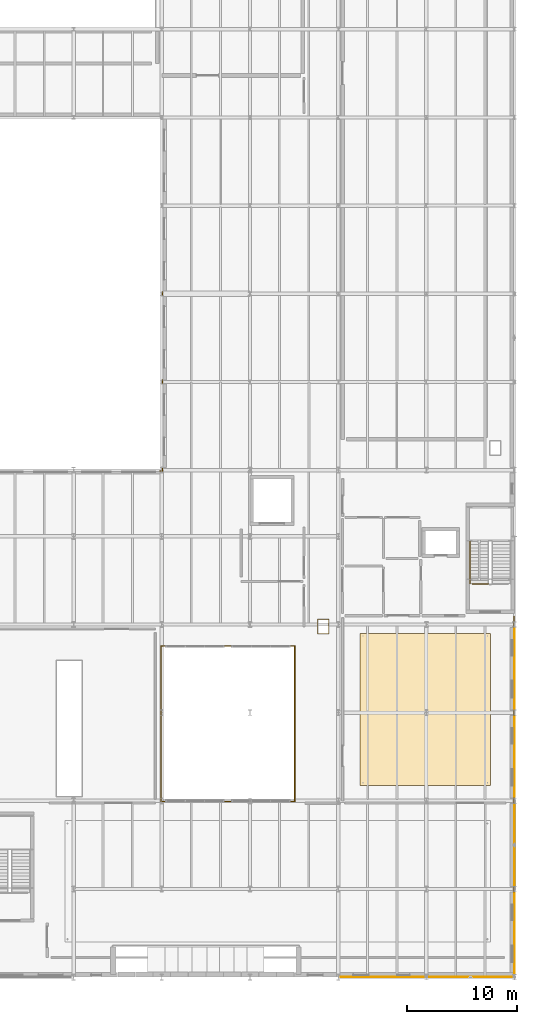
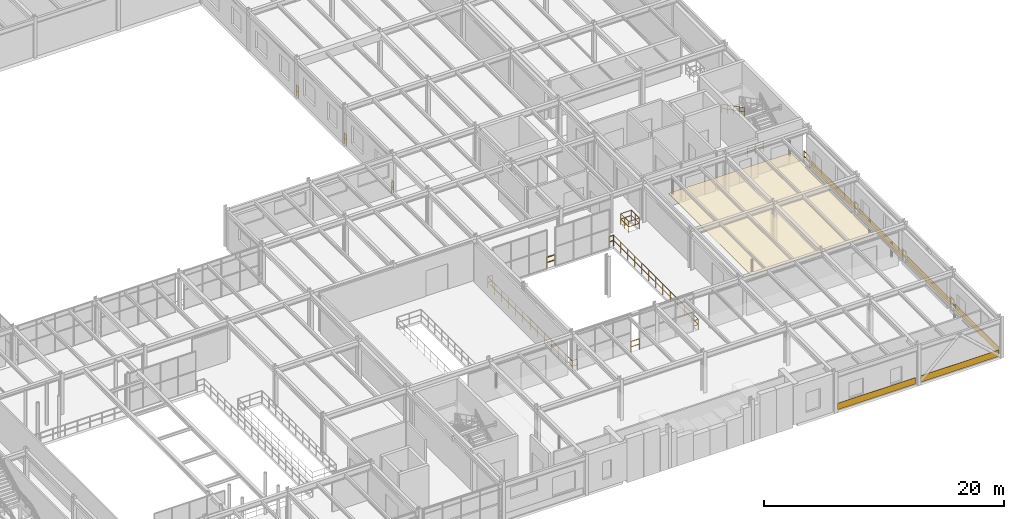
# One storey, part 120 of 122: 15 railings, 7 coverings.
"""IFC4 building model written with IfcOpenShell, lengths in metres."""

from ifc_helpers import new_model, si_unit, direction, frame, origin, origin_2d, place, context, subcontext, project, spatial, polyline, rectangle, circle, outline, extrude, material, layer, layer_set, type_object, element, save


model = new_model("IFC4")

# Units and contexts
model_context = context("Model", 3, precision=1e-05, world=origin(), true_north=direction((0.0, 1.0)))
body_context = subcontext(model_context, "Body", "Model", "MODEL_VIEW")
ifc_project = project(units=[si_unit("LENGTHUNIT", "METRE"), si_unit("AREAUNIT", "SQUARE_METRE"), si_unit("VOLUMEUNIT", "CUBIC_METRE"), si_unit("PLANEANGLEUNIT", "RADIAN"), si_unit("MASSUNIT", "GRAM", prefix="KILO")], contexts=[model_context])

# Site, building, storey
site_placement = place(None, origin())
site = spatial("IfcSite", under=ifc_project, at=site_placement, CompositionType="ELEMENT")
building_placement = place(site_placement, origin())
building = spatial("IfcBuilding", under=site, at=building_placement, Name="Sundkrona Museum", CompositionType="ELEMENT")
storey_placement = place(building_placement, frame((0.0, 0.0, 5.39990234375)))
storey = spatial("IfcBuildingStorey", under=building, at=storey_placement, Name="L01", CompositionType="ELEMENT", Elevation=5.39990234375)

# Coverings
ifc_material_1 = material(Name="Perforated Acoustic Gypsum and Mineral Wool Ceiling", Category="other")
ifc_layer_1 = layer(ifc_material_1, 0.0400390625)
ifc_layer_set_1 = layer_set([ifc_layer_1], Name="Perforated Acoustic Gypsum and Mineral Wool Ceiling")
covering_type_1 = type_object("IfcCoveringType", Name="COV-CEIL-AC", PredefinedType="CEILING", material=ifc_layer_set_1)
covering_placement = place(storey_placement, frame((0.0, 0.0, 2.550048828125)))
element("IfcCovering", 1, at=covering_placement, inside=storey, type_object=covering_type_1, Name="L01 Amber and Fossil Mezzanine Gallery Acoustic Ceiling", PredefinedType="CEILING", context=body_context, shape_type="SweptSolid", body=[
    extrude(outline(polyline([(154.0, 17.39990234375), (165.800048828125, 17.39990234375), (165.800048828125, 31.199951171875), (154.0, 31.199951171875), (154.0, 17.39990234375)])), origin(), (0.0, 0.0, 1.0), 0.0400390625),
])
ifc_material_2 = material(Name="Frost-Resistant Vitrified Stoneware Mosaic Cladding", Category="masonry")
ifc_layer_2 = layer(ifc_material_2, 0.044921875)
ifc_layer_set_2 = layer_set([ifc_layer_2], Name="Frost-Resistant Vitrified Stoneware Mosaic Cladding")
covering_type_2 = type_object("IfcCoveringType", Name="COV-CLD-MOS", PredefinedType="CLADDING", material=ifc_layer_set_2)
for number, where, z_axis, x_axis, name in (
    (2, (156.0, 0.0, 0.09521484375), (0.0, 0.0, 1.0), (1.0, 0.0, 0.0), "L01 Vitrified Stoneware Mosaic Spandrel 002"),
    (3, (164.0, 0.0, 0.09521484375), (0.0, 0.0, 1.0), (1.0, 0.0, 0.0), "L01 Vitrified Stoneware Mosaic Spandrel 003"),
):
    element("IfcCovering", number, at=place(storey_placement, frame(where, z_axis=z_axis, x_axis=x_axis)), inside=storey, type_object=covering_type_2, Name=name, PredefinedType="CLADDING", context=body_context, shape_type="SweptSolid", body=[
        extrude(rectangle(XDim=7.49609375, YDim=0.044921875, at=origin_2d()), origin(), (0.0, 0.0, 1.0), 0.64990234375),
    ])
for number, where, z_axis, x_axis, name in (
    (4, (168.0, 4.0, 0.09521484375), (0.0, 0.0, 1.0), (0.0, 1.0, 0.0), "L01 Vitrified Stoneware Mosaic Spandrel 004"),
    (5, (168.0, 12.0, 0.09521484375), (0.0, 0.0, 1.0), (0.0, 1.0, 0.0), "L01 Vitrified Stoneware Mosaic Spandrel 005"),
    (6, (168.0, 20.0, 0.09521484375), (0.0, 0.0, 1.0), (0.0, 1.0, 0.0), "L01 Vitrified Stoneware Mosaic Spandrel 006"),
    (7, (168.0, 28.0, 0.09521484375), (0.0, 0.0, 1.0), (0.0, 1.0, 0.0), "L01 Vitrified Stoneware Mosaic Spandrel 007"),
):
    element("IfcCovering", number, at=place(storey_placement, frame(where, z_axis=z_axis, x_axis=x_axis)), inside=storey, type_object=covering_type_2, Name=name, PredefinedType="CLADDING", context=body_context, shape_type="SweptSolid", body=[
        extrude(rectangle(XDim=7.2958984375, YDim=0.044921875, at=origin_2d()), origin(), (0.0, 0.0, 1.0), 0.64990234375),
    ])

# Railings
ifc_material_3 = material(Name="Painted Steel S355J2 and Laminated Glass Balustrade", Category="steel")
railing_type_1 = type_object("IfcRailingType", Name="RL-GUARD-1100", PredefinedType="BALUSTRADE", material=ifc_material_3)
railing_1_placement = place(storey_placement, frame((135.847900390625, 45.93994140625, 0.0)))
element("IfcRailing", 8, at=railing_1_placement, inside=storey, type_object=railing_type_1, Name="L01 Edge Protection Balustrade 063", PredefinedType="BALUSTRADE", context=body_context, shape_type="SweptSolid", body=[
    extrude(circle(Radius=0.02392578125, at=origin_2d()), frame((0.0, 0.0, 1.09619140625), z_axis=(1.0, 0.0, 0.0), x_axis=(0.0, 1.0, 0.0)), (0.0, 0.0, 1.0), 0.212158203125),
    extrude(circle(Radius=0.02392578125, at=origin_2d()), frame((0.0, 0.0, 0.56005859375), z_axis=(1.0, 0.0, 0.0), x_axis=(0.0, 1.0, 0.0)), (0.0, 0.0, 1.0), 0.212158203125),
    extrude(circle(Radius=0.02392578125, at=origin_2d()), frame((0.212158203125, 0.0, 1.09619140625), z_axis=(0.0, 1.0, 0.0), x_axis=(-1.0, 0.0, 0.0)), (0.0, 0.0, 1.0), 0.31201171875),
    extrude(circle(Radius=0.02392578125, at=origin_2d()), frame((0.212158203125, 0.0, 0.56005859375), z_axis=(0.0, 1.0, 0.0), x_axis=(-1.0, 0.0, 0.0)), (0.0, 0.0, 1.0), 0.31201171875),
    extrude(circle(Radius=0.02099609375, at=origin_2d()), origin(), (0.0, 0.0, 1.0), 1.072021484375),
    extrude(circle(Radius=0.02099609375, at=origin_2d()), frame((0.212158203125, 0.0, 0.0)), (0.0, 0.0, 1.0), 1.072021484375),
    extrude(circle(Radius=0.02099609375, at=origin_2d()), frame((0.212158203125, 0.31201171875, 0.0)), (0.0, 0.0, 1.0), 1.072021484375),
])
railing_2_placement = place(storey_placement, frame((136.39990234375, 30.06005859375, 0.0)))
element("IfcRailing", 9, at=railing_2_placement, inside=storey, type_object=railing_type_1, Name="L01 Edge Protection Balustrade 066", PredefinedType="BALUSTRADE", context=body_context, shape_type="SweptSolid", body=[
    extrude(circle(Radius=0.02392578125, at=origin_2d()), frame((0.0, 0.0, 1.09619140625), z_axis=(-1.0, 0.0, 0.0), x_axis=(0.0, -1.0, 0.0)), (0.0, 0.0, 1.0), 0.4599609375),
    extrude(circle(Radius=0.02392578125, at=origin_2d()), frame((0.0, 0.0, 0.56005859375), z_axis=(-1.0, 0.0, 0.0), x_axis=(0.0, -1.0, 0.0)), (0.0, 0.0, 1.0), 0.4599609375),
    extrude(circle(Radius=0.02392578125, at=origin_2d()), frame((-0.4599609375, 0.0, 1.09619140625), z_axis=(0.0, -1.0, 0.0), x_axis=(1.0, 0.0, 0.0)), (0.0, 0.0, 1.0), 14.1201171875),
    extrude(circle(Radius=0.02392578125, at=origin_2d()), frame((-0.4599609375, 0.0, 0.56005859375), z_axis=(0.0, -1.0, 0.0), x_axis=(1.0, 0.0, 0.0)), (0.0, 0.0, 1.0), 14.1201171875),
    extrude(circle(Radius=0.02392578125, at=origin_2d()), frame((-0.4599609375, -14.1201171875, 1.09619140625), z_axis=(1.0, 0.0, 0.0), x_axis=(0.0, 1.0, 0.0)), (0.0, 0.0, 1.0), 0.4599609375),
    extrude(circle(Radius=0.02392578125, at=origin_2d()), frame((-0.4599609375, -14.1201171875, 0.56005859375), z_axis=(1.0, 0.0, 0.0), x_axis=(0.0, 1.0, 0.0)), (0.0, 0.0, 1.0), 0.4599609375),
    extrude(circle(Radius=0.02099609375, at=origin_2d()), origin(), (0.0, 0.0, 1.0), 1.072021484375),
    extrude(circle(Radius=0.02099609375, at=origin_2d()), frame((-0.4599609375, 0.0, 0.0)), (0.0, 0.0, 1.0), 1.072021484375),
    extrude(circle(Radius=0.02099609375, at=origin_2d()), frame((-0.4599609375, -1.1767578125, 0.0)), (0.0, 0.0, 1.0), 1.072021484375),
    extrude(circle(Radius=0.02099609375, at=origin_2d()), frame((-0.4599609375, -2.353271484375, 0.0)), (0.0, 0.0, 1.0), 1.072021484375),
    extrude(circle(Radius=0.02099609375, at=origin_2d()), frame((-0.4599609375, -3.530029296875, 0.0)), (0.0, 0.0, 1.0), 1.072021484375),
    extrude(circle(Radius=0.02099609375, at=origin_2d()), frame((-0.4599609375, -4.706787109375, 0.0)), (0.0, 0.0, 1.0), 1.072021484375),
    extrude(circle(Radius=0.02099609375, at=origin_2d()), frame((-0.4599609375, -5.88330078125, 0.0)), (0.0, 0.0, 1.0), 1.072021484375),
    extrude(circle(Radius=0.02099609375, at=origin_2d()), frame((-0.4599609375, -7.06005859375, 0.0)), (0.0, 0.0, 1.0), 1.072021484375),
    extrude(circle(Radius=0.02099609375, at=origin_2d()), frame((-0.4599609375, -8.23681640625, 0.0)), (0.0, 0.0, 1.0), 1.072021484375),
    extrude(circle(Radius=0.02099609375, at=origin_2d()), frame((-0.4599609375, -9.413330078125, 0.0)), (0.0, 0.0, 1.0), 1.072021484375),
    extrude(circle(Radius=0.02099609375, at=origin_2d()), frame((-0.4599609375, -10.590087890625, 0.0)), (0.0, 0.0, 1.0), 1.072021484375),
    extrude(circle(Radius=0.02099609375, at=origin_2d()), frame((-0.4599609375, -11.766845703125, 0.0)), (0.0, 0.0, 1.0), 1.072021484375),
    extrude(circle(Radius=0.02099609375, at=origin_2d()), frame((-0.4599609375, -12.943359375, 0.0)), (0.0, 0.0, 1.0), 1.072021484375),
    extrude(circle(Radius=0.02099609375, at=origin_2d()), frame((-0.4599609375, -14.1201171875, 0.0)), (0.0, 0.0, 1.0), 1.072021484375),
    extrude(circle(Radius=0.02099609375, at=origin_2d()), frame((0.0, -14.1201171875, 0.0)), (0.0, 0.0, 1.0), 1.072021484375),
])
for number, where, name in (
    (10, (136.06005859375, 53.837890625, 0.0), "L01 Edge Protection Balustrade 067"),
    (11, (136.06005859375, 61.837890625, 0.0), "L01 Edge Protection Balustrade 068"),
):
    element("IfcRailing", number, at=place(storey_placement, frame(where)), inside=storey, type_object=railing_type_1, Name=name, PredefinedType="BALUSTRADE", context=body_context, shape_type="SweptSolid", body=[
        extrude(circle(Radius=0.02392578125, at=origin_2d()), frame((0.0, 0.0, 1.09619140625), z_axis=(0.0, 1.0, 0.0), x_axis=(-1.0, 0.0, 0.0)), (0.0, 0.0, 1.0), 0.32421875),
        extrude(circle(Radius=0.02392578125, at=origin_2d()), frame((0.0, 0.0, 0.56005859375), z_axis=(0.0, 1.0, 0.0), x_axis=(-1.0, 0.0, 0.0)), (0.0, 0.0, 1.0), 0.32421875),
        extrude(circle(Radius=0.02099609375, at=origin_2d()), origin(), (0.0, 0.0, 1.0), 1.072021484375),
        extrude(circle(Radius=0.02099609375, at=origin_2d()), frame((0.0, 0.32421875, 0.0)), (0.0, 0.0, 1.0), 1.072021484375),
    ])
railing_3_placement = place(storey_placement, frame((141.60009765625, 15.93994140625, 0.0)))
element("IfcRailing", 12, at=railing_3_placement, inside=storey, type_object=railing_type_1, Name="L01 Edge Protection Balustrade 070", PredefinedType="BALUSTRADE", context=body_context, shape_type="SweptSolid", body=[
    extrude(circle(Radius=0.02392578125, at=origin_2d()), frame((0.0, 0.0, 1.09619140625), z_axis=(1.0, 0.0, 0.0), x_axis=(0.0, 1.0, 0.0)), (0.0, 0.0, 1.0), 0.7998046875),
    extrude(circle(Radius=0.02392578125, at=origin_2d()), frame((0.0, 0.0, 0.56005859375), z_axis=(1.0, 0.0, 0.0), x_axis=(0.0, 1.0, 0.0)), (0.0, 0.0, 1.0), 0.7998046875),
    extrude(circle(Radius=0.02099609375, at=origin_2d()), origin(), (0.0, 0.0, 1.0), 1.072021484375),
    extrude(circle(Radius=0.02099609375, at=origin_2d()), frame((0.7998046875, 0.0, 0.0)), (0.0, 0.0, 1.0), 1.072021484375),
])
railing_4_placement = place(storey_placement, frame((142.39990234375, 30.06005859375, 0.0)))
element("IfcRailing", 13, at=railing_4_placement, inside=storey, type_object=railing_type_1, Name="L01 Edge Protection Balustrade 071", PredefinedType="BALUSTRADE", context=body_context, shape_type="SweptSolid", body=[
    extrude(circle(Radius=0.02392578125, at=origin_2d()), frame((0.0, 0.0, 1.09619140625), z_axis=(-1.0, 0.0, 0.0), x_axis=(0.0, -1.0, 0.0)), (0.0, 0.0, 1.0), 0.7998046875),
    extrude(circle(Radius=0.02392578125, at=origin_2d()), frame((0.0, 0.0, 0.56005859375), z_axis=(-1.0, 0.0, 0.0), x_axis=(0.0, -1.0, 0.0)), (0.0, 0.0, 1.0), 0.7998046875),
    extrude(circle(Radius=0.02099609375, at=origin_2d()), origin(), (0.0, 0.0, 1.0), 1.072021484375),
    extrude(circle(Radius=0.02099609375, at=origin_2d()), frame((-0.7998046875, 0.0, 0.0)), (0.0, 0.0, 1.0), 1.072021484375),
])
railing_5_placement = place(storey_placement, frame((147.60009765625, 15.93994140625, 0.0)))
element("IfcRailing", 14, at=railing_5_placement, inside=storey, type_object=railing_type_1, Name="L01 Edge Protection Balustrade 074", PredefinedType="BALUSTRADE", context=body_context, shape_type="SweptSolid", body=[
    extrude(circle(Radius=0.02392578125, at=origin_2d()), frame((0.0, 0.0, 1.09619140625), z_axis=(1.0, 0.0, 0.0), x_axis=(0.0, 1.0, 0.0)), (0.0, 0.0, 1.0), 0.4599609375),
    extrude(circle(Radius=0.02392578125, at=origin_2d()), frame((0.0, 0.0, 0.56005859375), z_axis=(1.0, 0.0, 0.0), x_axis=(0.0, 1.0, 0.0)), (0.0, 0.0, 1.0), 0.4599609375),
    extrude(circle(Radius=0.02392578125, at=origin_2d()), frame((0.4599609375, 0.0, 1.09619140625), z_axis=(0.0, 1.0, 0.0), x_axis=(-1.0, 0.0, 0.0)), (0.0, 0.0, 1.0), 14.1201171875),
    extrude(circle(Radius=0.02392578125, at=origin_2d()), frame((0.4599609375, 0.0, 0.56005859375), z_axis=(0.0, 1.0, 0.0), x_axis=(-1.0, 0.0, 0.0)), (0.0, 0.0, 1.0), 14.1201171875),
    extrude(circle(Radius=0.02099609375, at=origin_2d()), origin(), (0.0, 0.0, 1.0), 1.072021484375),
    extrude(circle(Radius=0.02099609375, at=origin_2d()), frame((0.4599609375, 0.0, 0.0)), (0.0, 0.0, 1.0), 1.072021484375),
    extrude(circle(Radius=0.02099609375, at=origin_2d()), frame((0.4599609375, 1.1767578125, 0.0)), (0.0, 0.0, 1.0), 1.072021484375),
    extrude(circle(Radius=0.02099609375, at=origin_2d()), frame((0.4599609375, 2.353271484375, 0.0)), (0.0, 0.0, 1.0), 1.072021484375),
    extrude(circle(Radius=0.02099609375, at=origin_2d()), frame((0.4599609375, 3.530029296875, 0.0)), (0.0, 0.0, 1.0), 1.072021484375),
    extrude(circle(Radius=0.02099609375, at=origin_2d()), frame((0.4599609375, 4.706787109375, 0.0)), (0.0, 0.0, 1.0), 1.072021484375),
    extrude(circle(Radius=0.02099609375, at=origin_2d()), frame((0.4599609375, 5.88330078125, 0.0)), (0.0, 0.0, 1.0), 1.072021484375),
    extrude(circle(Radius=0.02099609375, at=origin_2d()), frame((0.4599609375, 7.06005859375, 0.0)), (0.0, 0.0, 1.0), 1.072021484375),
    extrude(circle(Radius=0.02099609375, at=origin_2d()), frame((0.4599609375, 8.23681640625, 0.0)), (0.0, 0.0, 1.0), 1.072021484375),
    extrude(circle(Radius=0.02099609375, at=origin_2d()), frame((0.4599609375, 9.413330078125, 0.0)), (0.0, 0.0, 1.0), 1.072021484375),
    extrude(circle(Radius=0.02099609375, at=origin_2d()), frame((0.4599609375, 10.590087890625, 0.0)), (0.0, 0.0, 1.0), 1.072021484375),
    extrude(circle(Radius=0.02099609375, at=origin_2d()), frame((0.4599609375, 11.766845703125, 0.0)), (0.0, 0.0, 1.0), 1.072021484375),
    extrude(circle(Radius=0.02099609375, at=origin_2d()), frame((0.4599609375, 12.943359375, 0.0)), (0.0, 0.0, 1.0), 1.072021484375),
    extrude(circle(Radius=0.02099609375, at=origin_2d()), frame((0.4599609375, 14.1201171875, 0.0)), (0.0, 0.0, 1.0), 1.072021484375),
])
railing_6_placement = place(storey_placement, frame((148.06005859375, 30.06005859375, 0.0)))
element("IfcRailing", 15, at=railing_6_placement, inside=storey, type_object=railing_type_1, Name="L01 Edge Protection Balustrade 075", PredefinedType="BALUSTRADE", context=body_context, shape_type="SweptSolid", body=[
    extrude(circle(Radius=0.02392578125, at=origin_2d()), frame((0.0, 0.0, 1.09619140625), z_axis=(-1.0, 0.0, 0.0), x_axis=(0.0, -1.0, 0.0)), (0.0, 0.0, 1.0), 0.4599609375),
    extrude(circle(Radius=0.02392578125, at=origin_2d()), frame((0.0, 0.0, 0.56005859375), z_axis=(-1.0, 0.0, 0.0), x_axis=(0.0, -1.0, 0.0)), (0.0, 0.0, 1.0), 0.4599609375),
    extrude(circle(Radius=0.02099609375, at=origin_2d()), origin(), (0.0, 0.0, 1.0), 1.072021484375),
    extrude(circle(Radius=0.02099609375, at=origin_2d()), frame((-0.4599609375, 0.0, 0.0)), (0.0, 0.0, 1.0), 1.072021484375),
])
railing_7_placement = place(storey_placement, frame((151.159912109375, 32.4599609375, 0.0)))
element("IfcRailing", 16, at=railing_7_placement, inside=storey, type_object=railing_type_1, Name="L01 Edge Protection Balustrade 076", PredefinedType="BALUSTRADE", context=body_context, shape_type="SweptSolid", body=[
    extrude(circle(Radius=0.02392578125, at=origin_2d()), frame((0.0, 0.0, 1.09619140625), z_axis=(-1.0, 0.0, 0.0), x_axis=(0.0, -1.0, 0.0)), (0.0, 0.0, 1.0), 1.02001953125),
    extrude(circle(Radius=0.02392578125, at=origin_2d()), frame((0.0, 0.0, 0.56005859375), z_axis=(-1.0, 0.0, 0.0), x_axis=(0.0, -1.0, 0.0)), (0.0, 0.0, 1.0), 1.02001953125),
    extrude(circle(Radius=0.02392578125, at=origin_2d()), frame((-1.02001953125, 0.0, 1.09619140625), z_axis=(0.0, -1.0, 0.0), x_axis=(1.0, 0.0, 0.0)), (0.0, 0.0, 1.0), 1.320068359375),
    extrude(circle(Radius=0.02392578125, at=origin_2d()), frame((-1.02001953125, 0.0, 0.56005859375), z_axis=(0.0, -1.0, 0.0), x_axis=(1.0, 0.0, 0.0)), (0.0, 0.0, 1.0), 1.320068359375),
    extrude(circle(Radius=0.02392578125, at=origin_2d()), frame((-1.02001953125, -1.320068359375, 1.09619140625), z_axis=(1.0, 0.0, 0.0), x_axis=(0.0, 1.0, 0.0)), (0.0, 0.0, 1.0), 1.02001953125),
    extrude(circle(Radius=0.02392578125, at=origin_2d()), frame((-1.02001953125, -1.320068359375, 0.56005859375), z_axis=(1.0, 0.0, 0.0), x_axis=(0.0, 1.0, 0.0)), (0.0, 0.0, 1.0), 1.02001953125),
    extrude(circle(Radius=0.02392578125, at=origin_2d()), frame((0.0, -1.320068359375, 1.09619140625), z_axis=(0.0, 1.0, 0.0), x_axis=(-1.0, 0.0, 0.0)), (0.0, 0.0, 1.0), 1.320068359375),
    extrude(circle(Radius=0.02392578125, at=origin_2d()), frame((0.0, -1.320068359375, 0.56005859375), z_axis=(0.0, 1.0, 0.0), x_axis=(-1.0, 0.0, 0.0)), (0.0, 0.0, 1.0), 1.320068359375),
    extrude(circle(Radius=0.02099609375, at=origin_2d()), origin(), (0.0, 0.0, 1.0), 1.072021484375),
    extrude(circle(Radius=0.02099609375, at=origin_2d()), frame((-1.02001953125, 0.0, 0.0)), (0.0, 0.0, 1.0), 1.072021484375),
    extrude(circle(Radius=0.02099609375, at=origin_2d()), frame((-1.02001953125, -0.66015625, 0.0)), (0.0, 0.0, 1.0), 1.072021484375),
    extrude(circle(Radius=0.02099609375, at=origin_2d()), frame((-1.02001953125, -1.320068359375, 0.0)), (0.0, 0.0, 1.0), 1.072021484375),
    extrude(circle(Radius=0.02099609375, at=origin_2d()), frame((0.0, -1.320068359375, 0.0)), (0.0, 0.0, 1.0), 1.072021484375),
    extrude(circle(Radius=0.02099609375, at=origin_2d()), frame((0.0, -0.66015625, 0.0)), (0.0, 0.0, 1.0), 1.072021484375),
])
railing_8_placement = place(storey_placement, frame((164.179931640625, 35.6650390625, 0.0)))
element("IfcRailing", 17, at=railing_8_placement, inside=storey, type_object=railing_type_1, Name="L01 Edge Protection Balustrade 077", PredefinedType="BALUSTRADE", context=body_context, shape_type="SweptSolid", body=[
    extrude(circle(Radius=0.02392578125, at=origin_2d()), frame((0.0, 0.0, 1.09619140625), z_axis=(1.0, 0.0, 0.0), x_axis=(0.0, 1.0, 0.0)), (0.0, 0.0, 1.0), 1.52001953125),
    extrude(circle(Radius=0.02392578125, at=origin_2d()), frame((0.0, 0.0, 0.56005859375), z_axis=(1.0, 0.0, 0.0), x_axis=(0.0, 1.0, 0.0)), (0.0, 0.0, 1.0), 1.52001953125),
    extrude(circle(Radius=0.02099609375, at=origin_2d()), origin(), (0.0, 0.0, 1.0), 1.072021484375),
    extrude(circle(Radius=0.02099609375, at=origin_2d()), frame((0.760009765625, 0.0, 0.0)), (0.0, 0.0, 1.0), 1.072021484375),
    extrude(circle(Radius=0.02099609375, at=origin_2d()), frame((1.52001953125, 0.0, 0.0)), (0.0, 0.0, 1.0), 1.072021484375),
])
for number, where, name in (
    (18, (167.93994140625, 8.251953125, 0.0), "L01 Edge Protection Balustrade 080"),
    (19, (167.93994140625, 16.251953125, 0.0), "L01 Edge Protection Balustrade 081"),
    (20, (167.93994140625, 24.251953125, 0.0), "L01 Edge Protection Balustrade 082"),
):
    element("IfcRailing", number, at=place(storey_placement, frame(where)), inside=storey, type_object=railing_type_1, Name=name, PredefinedType="BALUSTRADE", context=body_context, shape_type="SweptSolid", body=[
        extrude(circle(Radius=0.02392578125, at=origin_2d()), frame((0.0, 0.0, 1.09619140625), z_axis=(0.0, -1.0, 0.0), x_axis=(1.0, 0.0, 0.0)), (0.0, 0.0, 1.0), 0.50390625),
        extrude(circle(Radius=0.02392578125, at=origin_2d()), frame((0.0, 0.0, 0.56005859375), z_axis=(0.0, -1.0, 0.0), x_axis=(1.0, 0.0, 0.0)), (0.0, 0.0, 1.0), 0.50390625),
        extrude(circle(Radius=0.02099609375, at=origin_2d()), origin(), (0.0, 0.0, 1.0), 1.072021484375),
        extrude(circle(Radius=0.02099609375, at=origin_2d()), frame((0.0, -0.50390625, 0.0)), (0.0, 0.0, 1.0), 1.072021484375),
    ])
railing_9_placement = place(storey_placement, frame((167.93994140625, 32.719970703125, 0.0)))
element("IfcRailing", 21, at=railing_9_placement, inside=storey, type_object=railing_type_1, Name="L01 Edge Protection Balustrade 083", PredefinedType="BALUSTRADE", context=body_context, shape_type="SweptSolid", body=[
    extrude(circle(Radius=0.02392578125, at=origin_2d()), frame((0.0, 0.0, 1.09619140625), z_axis=(0.0, -1.0, 0.0), x_axis=(1.0, 0.0, 0.0)), (0.0, 0.0, 1.0), 0.971923828125),
    extrude(circle(Radius=0.02392578125, at=origin_2d()), frame((0.0, 0.0, 0.56005859375), z_axis=(0.0, -1.0, 0.0), x_axis=(1.0, 0.0, 0.0)), (0.0, 0.0, 1.0), 0.971923828125),
    extrude(circle(Radius=0.02099609375, at=origin_2d()), origin(), (0.0, 0.0, 1.0), 1.072021484375),
    extrude(circle(Radius=0.02099609375, at=origin_2d()), frame((0.0, -0.971923828125, 0.0)), (0.0, 0.0, 1.0), 1.072021484375),
])
ifc_material_4 = material(Name="Brushed Bronze-Clad Steel Handrail", Category="steel")
railing_type_2 = type_object("IfcRailingType", Name="RL-HAND-900", PredefinedType="HANDRAIL", material=ifc_material_4)
railing_10_placement = place(storey_placement, frame((163.949951171875, 39.534912109375, 2.25)))
element("IfcRailing", 22, at=railing_10_placement, inside=storey, type_object=railing_type_2, Name="L01 ST-1 stair handrail 2", PredefinedType="HANDRAIL", context=body_context, shape_type="SweptSolid", body=[
    extrude(circle(Radius=0.02392578125, at=origin_2d()), frame((0.0, 0.0, 0.8759765625), z_axis=(0.0, -0.891364923058, 0.453286414909), x_axis=(1.0, 0.0, 0.0)), (0.0, 0.0, 1.0), 4.30224609375),
    extrude(circle(Radius=0.02392578125, at=origin_2d()), frame((0.0, 0.0, 0.449951171875), z_axis=(0.0, -0.891364923058, 0.453286414909), x_axis=(1.0, 0.0, 0.0)), (0.0, 0.0, 1.0), 4.30224609375),
    extrude(circle(Radius=0.02099609375, at=origin_2d()), origin(), (0.0, 0.0, 1.0), 0.851806640625),
    extrude(circle(Radius=0.02099609375, at=origin_2d()), frame((0.0, -0.958740234375, 0.487548828125)), (0.0, 0.0, 1.0), 0.851806640625),
    extrude(circle(Radius=0.02099609375, at=origin_2d()), frame((0.0, -1.91748046875, 0.97509765625)), (0.0, 0.0, 1.0), 0.851806640625),
    extrude(circle(Radius=0.02099609375, at=origin_2d()), frame((0.0, -2.876220703125, 1.462646484375)), (0.0, 0.0, 1.0), 0.851806640625),
    extrude(circle(Radius=0.02099609375, at=origin_2d()), frame((0.0, -3.8349609375, 1.9501953125)), (0.0, 0.0, 1.0), 0.851806640625),
])

save(model, "model.ifc")
